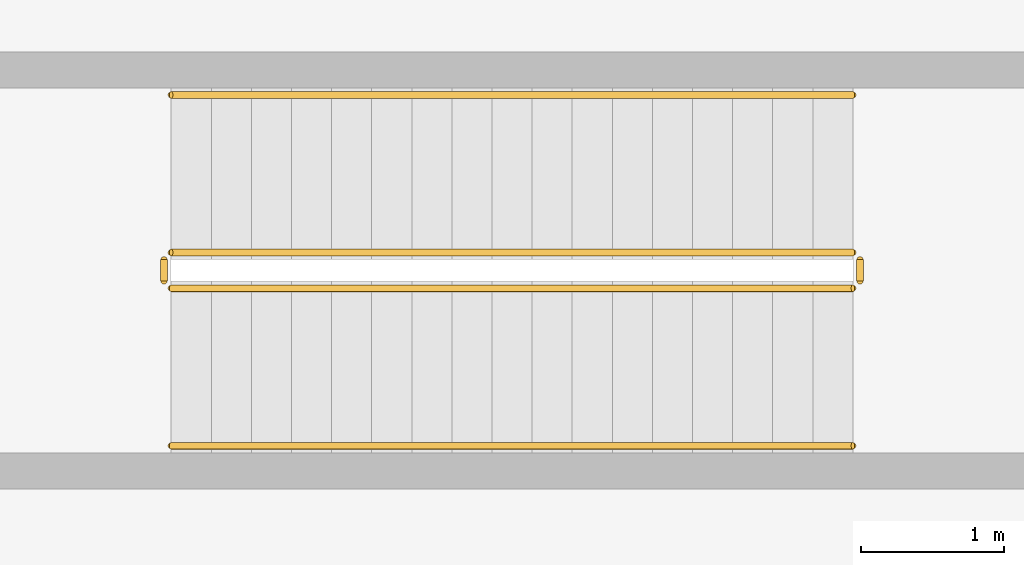
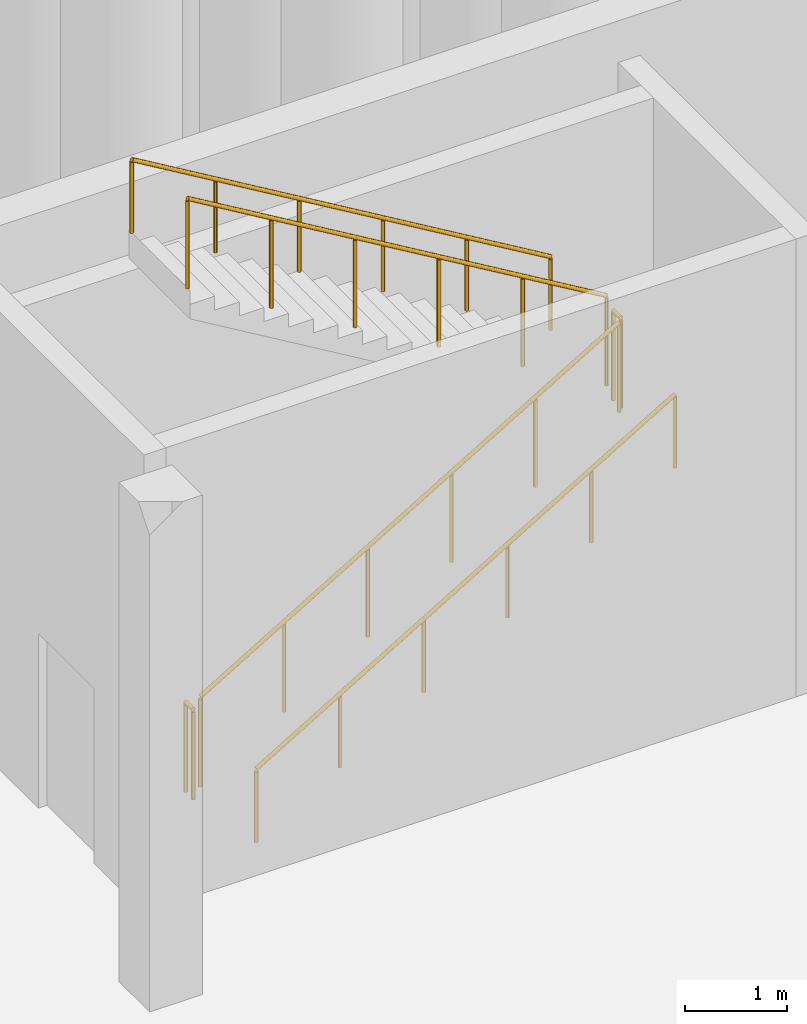
# One storey, part 32 of 45: 6 railings.
"""IFC4 building model written with IfcOpenShell, lengths in metres."""

from ifc_helpers import new_model, si_unit, direction, frame, origin, origin_2d, place, context, subcontext, project, spatial, circle, extrude, material, type_object, element, save


model = new_model("IFC4")

# Units and contexts
model_context = context("Model", 3, precision=1e-05, world=origin(), true_north=direction((0.0, 1.0)))
body_context = subcontext(model_context, "Body", "Model", "MODEL_VIEW")
ifc_project = project(units=[si_unit("LENGTHUNIT", "METRE"), si_unit("AREAUNIT", "SQUARE_METRE"), si_unit("VOLUMEUNIT", "CUBIC_METRE"), si_unit("PLANEANGLEUNIT", "RADIAN"), si_unit("MASSUNIT", "GRAM", prefix="KILO")], contexts=[model_context])

# Site, building, storey
site_placement = place(None, origin())
site = spatial("IfcSite", under=ifc_project, at=site_placement, CompositionType="ELEMENT")
building_placement = place(site_placement, origin())
building = spatial("IfcBuilding", under=site, at=building_placement, Name="Tamorin Gate", CompositionType="ELEMENT")
storey_placement = place(building_placement, frame((0.0, 0.0, -6.0)))
storey = spatial("IfcBuildingStorey", under=building, at=storey_placement, Name="B1", CompositionType="ELEMENT", Elevation=-6.0)

# Railings
ifc_material = material(Name="Steel, galvanised", Category="steel")
railing_type_1 = type_object("IfcRailingType", Name="Steel guard 1100", PredefinedType="GUARDRAIL", material=ifc_material)
railing_1_placement = place(storey_placement, frame((132.35009765625, 48.89990234375, 0.166748046875)))
element("IfcRailing", 1, at=railing_1_placement, inside=storey, type_object=railing_type_1, Name="B1 SB7 stair guard 1", PredefinedType="GUARDRAIL", context=body_context, shape_type="SweptSolid", body=[
    extrude(circle(Radius=0.02392578125, at=origin_2d()), frame((0.0, 0.0, 1.076171875), z_axis=(0.859299802514, 0.0, 0.511472237174), x_axis=(0.0, 1.0, 0.0)), (0.0, 0.0, 1.0), 5.539306640625),
    extrude(circle(Radius=0.02099609375, at=origin_2d()), origin(), (0.0, 0.0, 1.0), 1.052001953125),
    extrude(circle(Radius=0.02099609375, at=origin_2d()), frame((0.951904296875, 0.0, 0.566650390625)), (0.0, 0.0, 1.0), 1.052001953125),
    extrude(circle(Radius=0.02099609375, at=origin_2d()), frame((1.904052734375, 0.0, 1.13330078125)), (0.0, 0.0, 1.0), 1.052001953125),
    extrude(circle(Radius=0.02099609375, at=origin_2d()), frame((2.85595703125, 0.0, 1.699951171875)), (0.0, 0.0, 1.0), 1.052001953125),
    extrude(circle(Radius=0.02099609375, at=origin_2d()), frame((3.80810546875, 0.0, 2.2666015625)), (0.0, 0.0, 1.0), 1.052001953125),
    extrude(circle(Radius=0.02099609375, at=origin_2d()), frame((4.760009765625, 0.0, 2.833251953125)), (0.0, 0.0, 1.0), 1.052001953125),
])
railing_2_placement = place(storey_placement, frame((137.159912109375, 48.949951171875, 3.0)))
element("IfcRailing", 2, at=railing_2_placement, inside=storey, type_object=railing_type_1, Name="B1 SB7 stair guard 2", PredefinedType="GUARDRAIL", context=body_context, shape_type="SweptSolid", body=[
    extrude(circle(Radius=0.02392578125, at=origin_2d()), frame((0.0, 0.0, 1.076171875), z_axis=(0.0, 1.0, 0.0), x_axis=(-1.0, 0.0, 0.0)), (0.0, 0.0, 1.0), 0.150146484375),
    extrude(circle(Radius=0.02099609375, at=origin_2d()), origin(), (0.0, 0.0, 1.0), 1.052001953125),
    extrude(circle(Radius=0.02099609375, at=origin_2d()), frame((0.0, 0.150146484375, 0.0)), (0.0, 0.0, 1.0), 1.052001953125),
])
railing_3_placement = place(storey_placement, frame((137.110107421875, 49.14990234375, 3.166748046875)))
element("IfcRailing", 3, at=railing_3_placement, inside=storey, type_object=railing_type_1, Name="B1 SB7 stair guard 3", PredefinedType="GUARDRAIL", context=body_context, shape_type="SweptSolid", body=[
    extrude(circle(Radius=0.02392578125, at=origin_2d()), frame((0.0, 0.0, 1.076171875), z_axis=(-0.859299802514, 0.0, 0.511472237174), x_axis=(0.0, -1.0, 0.0)), (0.0, 0.0, 1.0), 5.539306640625),
    extrude(circle(Radius=0.02099609375, at=origin_2d()), origin(), (0.0, 0.0, 1.0), 1.052001953125),
    extrude(circle(Radius=0.02099609375, at=origin_2d()), frame((-0.951904296875, 0.0, 0.566650390625)), (0.0, 0.0, 1.0), 1.052001953125),
    extrude(circle(Radius=0.02099609375, at=origin_2d()), frame((-1.904052734375, 0.0, 1.13330078125)), (0.0, 0.0, 1.0), 1.052001953125),
    extrude(circle(Radius=0.02099609375, at=origin_2d()), frame((-2.85595703125, 0.0, 1.699951171875)), (0.0, 0.0, 1.0), 1.052001953125),
    extrude(circle(Radius=0.02099609375, at=origin_2d()), frame((-3.80810546875, 0.0, 2.2666015625)), (0.0, 0.0, 1.0), 1.052001953125),
    extrude(circle(Radius=0.02099609375, at=origin_2d()), frame((-4.760009765625, 0.0, 2.833251953125)), (0.0, 0.0, 1.0), 1.052001953125),
])
railing_4_placement = place(storey_placement, frame((132.300048828125, 48.949951171875, 0.0)))
element("IfcRailing", 4, at=railing_4_placement, inside=storey, type_object=railing_type_1, Name="B1 SB7 stair guard 4", PredefinedType="GUARDRAIL", context=body_context, shape_type="SweptSolid", body=[
    extrude(circle(Radius=0.02392578125, at=origin_2d()), frame((0.0, 0.0, 1.076171875), z_axis=(0.0, 1.0, 0.0), x_axis=(-1.0, 0.0, 0.0)), (0.0, 0.0, 1.0), 0.150146484375),
    extrude(circle(Radius=0.02099609375, at=origin_2d()), origin(), (0.0, 0.0, 1.0), 1.052001953125),
    extrude(circle(Radius=0.02099609375, at=origin_2d()), frame((0.0, 0.150146484375, 0.0)), (0.0, 0.0, 1.0), 1.052001953125),
])
railing_type_2 = type_object("IfcRailingType", Name="Steel handrail 900", PredefinedType="HANDRAIL", material=ifc_material)
railing_5_placement = place(storey_placement, frame((132.35009765625, 47.800048828125, 0.166748046875)))
element("IfcRailing", 5, at=railing_5_placement, inside=storey, type_object=railing_type_2, Name="B1 SB7 stair handrail 1", PredefinedType="HANDRAIL", context=body_context, shape_type="SweptSolid", body=[
    extrude(circle(Radius=0.02392578125, at=origin_2d()), frame((0.0, 0.0, 0.8759765625), z_axis=(0.859299802514, 0.0, 0.511472237174), x_axis=(0.0, 1.0, 0.0)), (0.0, 0.0, 1.0), 5.539306640625),
    extrude(circle(Radius=0.02099609375, at=origin_2d()), origin(), (0.0, 0.0, 1.0), 0.851806640625),
    extrude(circle(Radius=0.02099609375, at=origin_2d()), frame((0.951904296875, 0.0, 0.566650390625)), (0.0, 0.0, 1.0), 0.851806640625),
    extrude(circle(Radius=0.02099609375, at=origin_2d()), frame((1.904052734375, 0.0, 1.13330078125)), (0.0, 0.0, 1.0), 0.851806640625),
    extrude(circle(Radius=0.02099609375, at=origin_2d()), frame((2.85595703125, 0.0, 1.699951171875)), (0.0, 0.0, 1.0), 0.851806640625),
    extrude(circle(Radius=0.02099609375, at=origin_2d()), frame((3.80810546875, 0.0, 2.2666015625)), (0.0, 0.0, 1.0), 0.851806640625),
    extrude(circle(Radius=0.02099609375, at=origin_2d()), frame((4.760009765625, 0.0, 2.833251953125)), (0.0, 0.0, 1.0), 0.851806640625),
])
railing_6_placement = place(storey_placement, frame((137.110107421875, 50.25, 3.166748046875)))
element("IfcRailing", 6, at=railing_6_placement, inside=storey, type_object=railing_type_2, Name="B1 SB7 stair handrail 2", PredefinedType="HANDRAIL", context=body_context, shape_type="SweptSolid", body=[
    extrude(circle(Radius=0.02392578125, at=origin_2d()), frame((0.0, 0.0, 0.8759765625), z_axis=(-0.859299802514, 0.0, 0.511472237174), x_axis=(0.0, -1.0, 0.0)), (0.0, 0.0, 1.0), 5.539306640625),
    extrude(circle(Radius=0.02099609375, at=origin_2d()), origin(), (0.0, 0.0, 1.0), 0.851806640625),
    extrude(circle(Radius=0.02099609375, at=origin_2d()), frame((-0.951904296875, 0.0, 0.566650390625)), (0.0, 0.0, 1.0), 0.851806640625),
    extrude(circle(Radius=0.02099609375, at=origin_2d()), frame((-1.904052734375, 0.0, 1.13330078125)), (0.0, 0.0, 1.0), 0.851806640625),
    extrude(circle(Radius=0.02099609375, at=origin_2d()), frame((-2.85595703125, 0.0, 1.699951171875)), (0.0, 0.0, 1.0), 0.851806640625),
    extrude(circle(Radius=0.02099609375, at=origin_2d()), frame((-3.80810546875, 0.0, 2.2666015625)), (0.0, 0.0, 1.0), 0.851806640625),
    extrude(circle(Radius=0.02099609375, at=origin_2d()), frame((-4.760009765625, 0.0, 2.833251953125)), (0.0, 0.0, 1.0), 0.851806640625),
])

save(model, "model.ifc")
